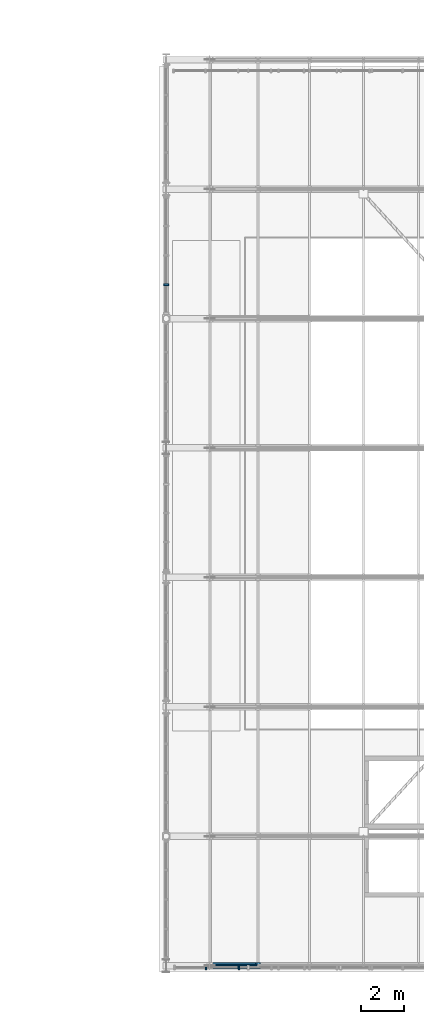
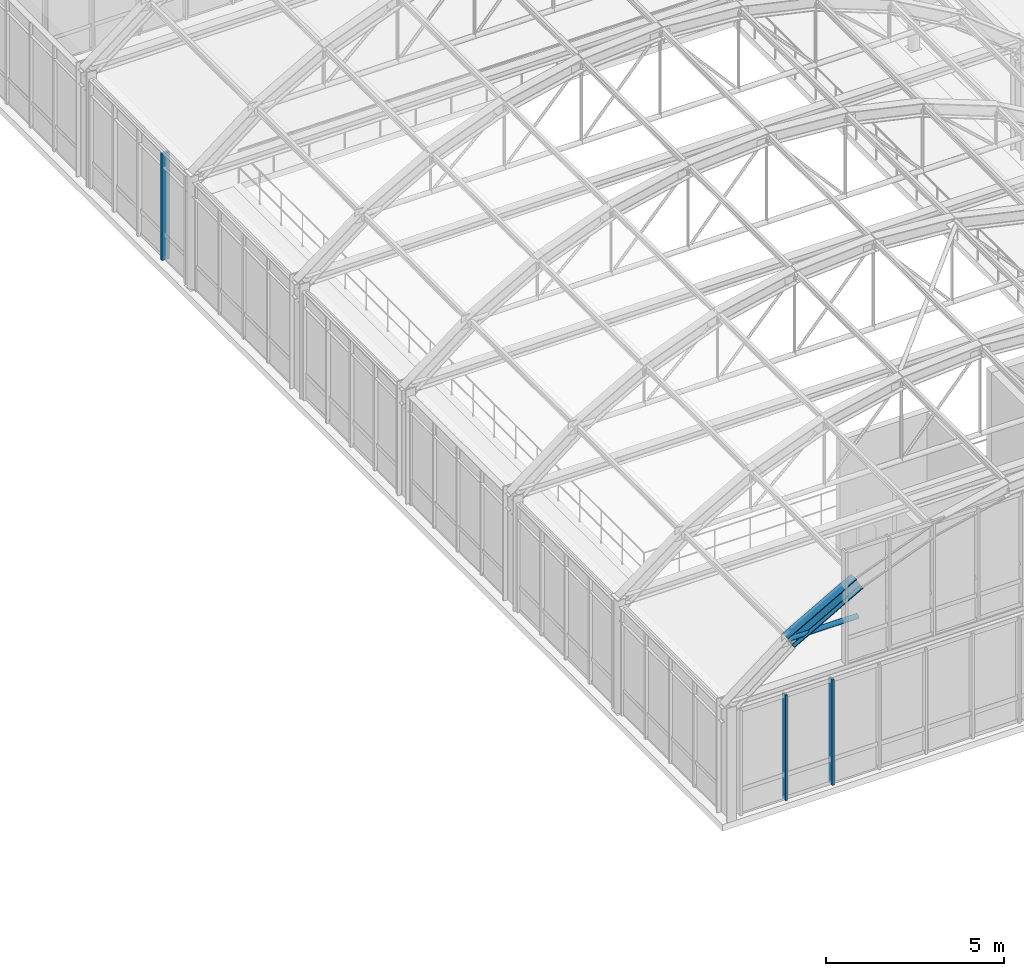
# One storey, part 29 of 148: 4 members, 1 beam, 2 elements without a shape of their own.
"""IFC4 building model written with IfcOpenShell, lengths in metres."""

import ifcopenshell
import ifcopenshell.guid

model = None  # the IFC model being written
_history = None  # IfcOwnerHistory: only IFC2X3 demands one
_inside = {}  # id of a spatial element -> (the spatial element, [elements in it])
_under = {}  # id of a project, library or spatial element -> (it, [spatial elements below it])
_declared = {}  # id of a project -> (the project, [libraries it declares])
_typed = {}  # id of a type object -> (the type object, [elements of that type])
_made_of = {}  # id of a material, layer set ... -> (it, [elements and type objects made of it])


def new_model(schema):
    """Start an empty IFC model of exactly this schema.

    Asked for "IFC4X3", IfcOpenShell would pick the latest addendum, in which some entities
    have other attributes; the version numbers below select the first issue.
    IFC2X3 requires an IfcOwnerHistory on every rooted entity: one is made here for all.
    """
    global model, _history
    if schema == "IFC4X3":
        model = ifcopenshell.file(schema_version=(4, 3, 0, 0))
    else:
        model = ifcopenshell.file(schema=schema)
    _inside.clear()
    _under.clear()
    _declared.clear()
    _typed.clear()
    _made_of.clear()
    _history = None
    if model.schema == "IFC2X3":
        org = make("IfcOrganization", Name="unknown")
        user = make(
            "IfcPersonAndOrganization",
            ThePerson=make("IfcPerson", FamilyName="unknown"),
            TheOrganization=org,
        )
        app = make(
            "IfcApplication",
            ApplicationDeveloper=org,
            Version="unknown",
            ApplicationFullName="unknown",
            ApplicationIdentifier="unknown",
        )
        _history = make(
            "IfcOwnerHistory",
            OwningUser=user,
            OwningApplication=app,
            ChangeAction="ADDED",
            CreationDate=0,
        )
    return model


def make(cls, **values):
    """One entity of the class cls with the attributes given. An attribute that is None is left unset."""
    return model.create_entity(
        cls, **{name: value for name, value in values.items() if value is not None}
    )


def rooted(cls, **values):
    """An entity with a GlobalId (a new one), such as an element, a storey or a relation."""
    return make(cls, GlobalId=ifcopenshell.guid.new(), OwnerHistory=_history, **values)


def si_unit(unit_type, name, prefix=None):
    """IfcSIUnit, for example si_unit("LENGTHUNIT", "METRE", prefix="MILLI")."""
    return make("IfcSIUnit", UnitType=unit_type, Prefix=prefix, Name=name)


def assignment(units):
    """IfcUnitAssignment: the units of a project."""
    return None if units is None else make("IfcUnitAssignment", Units=units)


def point(xyz):
    """IfcCartesianPoint."""
    return None if xyz is None else make("IfcCartesianPoint", Coordinates=xyz)


def direction(xyz):
    """IfcDirection."""
    return None if xyz is None else make("IfcDirection", DirectionRatios=xyz)


def frame(location, z_axis=None, x_axis=None):
    """IfcAxis2Placement3D, a coordinate frame: its origin and axes. An axis left out is left unset."""
    return make(
        "IfcAxis2Placement3D",
        Location=point(location),
        Axis=direction(z_axis),
        RefDirection=direction(x_axis),
    )


def frame_2d(location, x_axis=None):
    """IfcAxis2Placement2D, a coordinate frame in the plane: its origin and x axis."""
    return make(
        "IfcAxis2Placement2D", Location=point(location), RefDirection=direction(x_axis)
    )


def origin():
    """The frame at (0, 0, 0) with its axes left unset."""
    return frame((0.0, 0.0, 0.0))


def origin_2d():
    """The frame at (0, 0) in the plane with its x axis left unset."""
    return frame_2d((0.0, 0.0))


def place(relative_to, where):
    """IfcLocalPlacement: puts the frame where relative to a parent placement (None: the world)."""
    return make(
        "IfcLocalPlacement", PlacementRelTo=relative_to, RelativePlacement=where
    )


def context(
    kind, dimensions, precision=None, world=None, true_north=None, identifier=None
):
    """IfcGeometricRepresentationContext, for example the 3D "Model" context."""
    return make(
        "IfcGeometricRepresentationContext",
        ContextIdentifier=identifier,
        ContextType=kind,
        CoordinateSpaceDimension=dimensions,
        Precision=precision,
        WorldCoordinateSystem=world,
        TrueNorth=true_north,
    )


def subcontext(parent, identifier, kind, view, scale=None):
    """IfcGeometricRepresentationSubContext, for example "Body" below "Model"."""
    return make(
        "IfcGeometricRepresentationSubContext",
        ContextIdentifier=identifier,
        ContextType=kind,
        ParentContext=parent,
        TargetScale=scale,
        TargetView=view,
    )


def project(units=None, contexts=None):
    """IfcProject with its units and contexts."""
    return rooted(
        "IfcProject",
        Name="project",
        RepresentationContexts=contexts,
        UnitsInContext=assignment(units),
    )


def spatial(cls, under=None, at=None, **own):
    """A site, building, storey or space (cls), placed at a placement, below another one or the project."""
    s = rooted(cls, ObjectPlacement=at, **own)
    if under is not None:
        _under.setdefault(under.id(), (under, []))[1].append(s)
    return s


def profile(cls, at=None, kind="AREA", **sizes):
    """A parametric profile (cls). Its sizes go by their IFC names, for example OverallWidth=200.0."""
    return make(cls, ProfileType=kind, Position=at, **sizes)


def rectangle(**sizes):
    """IfcRectangleProfileDef."""
    return profile("IfcRectangleProfileDef", **sizes)


def hollow_circle(**sizes):
    """IfcCircleHollowProfileDef."""
    return profile("IfcCircleHollowProfileDef", **sizes)


def i_section(**sizes):
    """IfcIShapeProfileDef."""
    return profile("IfcIShapeProfileDef", **sizes)


def extrude(swept, where, along, depth):
    """IfcExtrudedAreaSolid: the profile swept, set in the frame where, extruded along a direction by depth."""
    return make(
        "IfcExtrudedAreaSolid",
        SweptArea=swept,
        Position=where,
        ExtrudedDirection=direction(along),
        Depth=depth,
    )


def shape(context_of_items, identifier, shape_type, items):
    """IfcShapeRepresentation: the items that make up one representation, for example the "Body"."""
    return make(
        "IfcShapeRepresentation",
        ContextOfItems=context_of_items,
        RepresentationIdentifier=identifier,
        RepresentationType=shape_type,
        Items=items,
    )


def material(Name=None, Category=None):
    """IfcMaterial."""
    return make("IfcMaterial", Name=Name, Category=Category)


def layer(
    of_material, thickness, ventilated=None, Name=None, Category=None, Priority=None
):
    """IfcMaterialLayer: one layer of a wall or slab, of a material (None: an air gap)."""
    return make(
        "IfcMaterialLayer",
        Material=of_material,
        LayerThickness=thickness,
        IsVentilated=ventilated,
        Name=Name,
        Category=Category,
        Priority=Priority,
    )


def layer_set(layers, Name=None):
    """IfcMaterialLayerSet."""
    return make("IfcMaterialLayerSet", MaterialLayers=layers, LayerSetName=Name)


def material_profile(
    of_material, cross_section, Name=None, Category=None, Priority=None
):
    """IfcMaterialProfile: a cross section and its material."""
    return make(
        "IfcMaterialProfile",
        Name=Name,
        Material=of_material,
        Profile=cross_section,
        Priority=Priority,
        Category=Category,
    )


def profile_set(profiles, Name=None, composite=None):
    """IfcMaterialProfileSet."""
    return make(
        "IfcMaterialProfileSet",
        Name=Name,
        MaterialProfiles=profiles,
        CompositeProfile=composite,
    )


def made_of(thing, what):
    """Note that an element or type object is made of a material, layer set ...; save() writes the relation."""
    if what is not None:
        _made_of.setdefault(what.id(), (what, []))[1].append(thing)
    return thing


def type_object(cls, material=None, **own):
    """A type object (cls), such as IfcWallType, which elements share."""
    return made_of(rooted(cls, **own), material)


def element(
    cls,
    number,
    at=None,
    inside=None,
    cuts=None,
    type_object=None,
    material=None,
    context=None,
    identifier="Body",
    shape_type=None,
    held_by="IfcProductDefinitionShape",
    body=None,
    shapes=None,
    **own,
):
    """One element of the class cls, such as IfcWall. Its Tag is "e" and its number.

    at: its placement. inside: the storey or other place that contains it. cuts: it is an
    opening in that element (IfcRelVoidsElement). A single representation is given by context,
    identifier, shape_type and body (its items); several are given by shapes. held_by: the class
    of the entity that holds the representations. save() writes the other relations.
    """
    e = rooted(cls, Tag="e%d" % number, ObjectPlacement=at, **own)
    if body is not None:
        shapes = [shape(context, identifier, shape_type, body)]
    if shapes is not None:
        e.Representation = make(held_by, Representations=shapes)
    if inside is not None:
        _inside.setdefault(inside.id(), (inside, []))[1].append(e)
    if cuts is not None:
        rooted(
            "IfcRelVoidsElement", RelatingBuildingElement=cuts, RelatedOpeningElement=e
        )
    if type_object is not None:
        _typed.setdefault(type_object.id(), (type_object, []))[1].append(e)
    return made_of(e, material)


def aggregate(whole, parts):
    """IfcRelAggregates: a whole, such as a stair, and the parts it consists of."""
    return rooted("IfcRelAggregates", RelatingObject=whole, RelatedObjects=parts)


def save(model, path):
    """Write the relations noted so far, then the file.

    IfcRelAggregates (storeys below a building ...), IfcRelContainedInSpatialStructure (elements
    in a storey), IfcRelDefinesByType, IfcRelAssociatesMaterial and IfcRelDeclares: one each for
    every whole, place, type object, material and project.
    """
    for whole, parts in _under.values():
        aggregate(whole, parts)
    for where, things in _inside.values():
        rooted(
            "IfcRelContainedInSpatialStructure",
            RelatedElements=things,
            RelatingStructure=where,
        )
    for kind, things in _typed.values():
        rooted("IfcRelDefinesByType", RelatedObjects=things, RelatingType=kind)
    for what, things in _made_of.values():
        rooted("IfcRelAssociatesMaterial", RelatedObjects=things, RelatingMaterial=what)
    for by, libraries in _declared.values():
        rooted("IfcRelDeclares", RelatingContext=by, RelatedDefinitions=libraries)
    model.write(path)


model = new_model("IFC4")

# Units and contexts
model_context = context("Model", 3, precision=1e-05, world=origin(), true_north=direction((0.0, 1.0)))
body_context = subcontext(model_context, "Body", "Model", "MODEL_VIEW")
ifc_project = project(units=[si_unit("LENGTHUNIT", "METRE"), si_unit("AREAUNIT", "SQUARE_METRE"), si_unit("VOLUMEUNIT", "CUBIC_METRE"), si_unit("PLANEANGLEUNIT", "RADIAN"), si_unit("MASSUNIT", "GRAM", prefix="KILO"), si_unit("THERMODYNAMICTEMPERATUREUNIT", "KELVIN"), si_unit("POWERUNIT", "WATT")], contexts=[model_context])

# Site, building, storey
site_placement = place(None, origin())
site = spatial("IfcSite", under=ifc_project, at=site_placement, CompositionType="ELEMENT")
building_placement = place(site_placement, origin())
building = spatial("IfcBuilding", under=site, at=building_placement, Name="Solvatero Civic Police Headquarters", CompositionType="ELEMENT")
storey_placement = place(building_placement, frame((0.0, 0.0, 5.10009765625)))
storey = spatial("IfcBuildingStorey", under=building, at=storey_placement, Name="L01", CompositionType="ELEMENT", Elevation=5.10009765625)

# Beam
ifc_material_1 = material(Name="Steel S355", Category="steel")
ifc_material_profile_1 = material_profile(ifc_material_1, i_section(OverallWidth=0.300048828125, OverallDepth=0.449951171875, WebThickness=0.013916015625, FlangeThickness=0.02587890625, FilletRadius=0.027099609375, at=origin_2d()), Name="HEB 450")
ifc_profile_set_1 = profile_set([ifc_material_profile_1], Name="Steel S355")
beam_type = type_object("IfcBeamType", Name="BM-ST-HEB450", PredefinedType="BEAM", material=ifc_profile_set_1)
beam_placement = place(storey_placement, frame((100.822509765625, 4.800048828125, 5.330322265625), z_axis=(0.870765086908, 0.0, 0.491699261156), x_axis=(0.0, 1.0, 0.0)))
element("IfcBeam", 1, at=beam_placement, inside=storey, type_object=beam_type, Name="VLT1 Tied-Arch Vault Top Chord F1.2", PredefinedType="BEAM", context=body_context, shape_type="SweptSolid", body=[
    extrude(i_section(OverallWidth=0.300048828125, OverallDepth=0.449951171875, WebThickness=0.013916015625, FlangeThickness=0.02587890625, FilletRadius=0.027099609375, at=origin_2d()), origin(), (0.0, 0.0, 1.0), 2.56201171875),
])

# Curtain wall, member
ifc_material_2 = material(Name="Anodized Bronze Aluminium", Category="aluminium")
ifc_layer = layer(ifc_material_2, 0.179931640625)
ifc_layer_set = layer_set([ifc_layer], Name="Anodized Bronze Aluminium")
curtain_wall_type = type_object("IfcCurtainWallType", Name="CW-HAL-GLZ", PredefinedType="USERDEFINED", material=ifc_layer_set)
curtain_wall_1_placement = place(storey_placement, origin())
curtain_wall_1 = element("IfcCurtainWall", 2, at=curtain_wall_1_placement, inside=storey, type_object=curtain_wall_type, Name="Curtain Wall CW-R2-L01-V1-W-B6", ObjectType="UNITISED", PredefinedType="USERDEFINED")
ifc_material_profile_2 = material_profile(ifc_material_2, rectangle(XDim=0.080078125, YDim=0.239990234375, at=origin_2d()), Name="ALU MULLION 80x240")
ifc_profile_set_2 = profile_set([ifc_material_profile_2], Name="Anodized Bronze Aluminium")
member_type_1 = type_object("IfcMemberType", Name="CWM-140x60", PredefinedType="MULLION", material=ifc_profile_set_2)
member_1_placement = place(storey_placement, frame((98.800048828125, 36.364013671875, 0.0), z_axis=(0.0, 0.0, 1.0), x_axis=(0.0, 1.0, 0.0)))
member_1 = element("IfcMember", 3, at=member_1_placement, type_object=member_type_1, Name="CW-R2-L01-V1-W-B6 Mullion 2", PredefinedType="MULLION", context=body_context, shape_type="SweptSolid", body=[
    extrude(rectangle(XDim=0.080078125, YDim=0.239990234375, at=origin_2d()), origin(), (0.0, 0.0, 1.0), 3.659912109375),
])
aggregate(curtain_wall_1, [member_1])

# Curtain wall, members
curtain_wall_2_placement = place(storey_placement, origin())
curtain_wall_2 = element("IfcCurtainWall", 4, at=curtain_wall_2_placement, inside=storey, type_object=curtain_wall_type, Name="Curtain Wall CW-R2-L01-V1-S", ObjectType="UNITISED", PredefinedType="USERDEFINED")
ifc_material_profile_3 = material_profile(ifc_material_2, rectangle(XDim=0.070068359375, YDim=0.199951171875, at=origin_2d()), Name="ALU MULLION 70x200")
ifc_profile_set_3 = profile_set([ifc_material_profile_3], Name="Anodized Bronze Aluminium")
member_type_2 = type_object("IfcMemberType", Name="CWM-220x80", PredefinedType="MULLION", material=ifc_profile_set_3)
member_2_placement = place(storey_placement, frame((100.65478515625, 4.719970703125, 0.0), z_axis=(0.0, 0.0, 1.0), x_axis=(1.0, 0.0, 0.0)))
member_2 = element("IfcMember", 5, at=member_2_placement, type_object=member_type_2, Name="CW-R2-L01-V1-S Mullion 2", PredefinedType="MULLION", context=body_context, shape_type="SweptSolid", body=[
    extrude(rectangle(XDim=0.070068359375, YDim=0.199951171875, at=origin_2d()), origin(), (0.0, 0.0, 1.0), 3.619873046875),
])
member_3_placement = place(storey_placement, frame((102.169189453125, 4.719970703125, 0.0), z_axis=(0.0, 0.0, 1.0), x_axis=(1.0, 0.0, 0.0)))
member_3 = element("IfcMember", 6, at=member_3_placement, type_object=member_type_2, Name="CW-R2-L01-V1-S Mullion 3", PredefinedType="MULLION", context=body_context, shape_type="SweptSolid", body=[
    extrude(rectangle(XDim=0.070068359375, YDim=0.199951171875, at=origin_2d()), origin(), (0.0, 0.0, 1.0), 3.619873046875),
])
aggregate(curtain_wall_2, [member_2, member_3])

# Member
ifc_material_profile_4 = material_profile(ifc_material_1, hollow_circle(Radius=0.084228515625, WallThickness=0.010009765625, at=origin_2d()), Name="CHS 168.3x10.0")
ifc_profile_set_4 = profile_set([ifc_material_profile_4], Name="Steel S355")
member_type_3 = type_object("IfcMemberType", Name="MB-TIE-CHS168", PredefinedType="CHORD", material=ifc_profile_set_4)
member_4_placement = place(storey_placement, frame((100.822509765625, 4.800048828125, 5.3916015625), z_axis=(1.0, 0.0, 0.0), x_axis=(0.0, 1.0, 0.0)))
element("IfcMember", 7, at=member_4_placement, inside=storey, type_object=member_type_3, Name="VLT1 Vault Horizontal Tie Chord F1.1", PredefinedType="CHORD", context=body_context, shape_type="SweptSolid", body=[
    extrude(hollow_circle(Radius=0.084228515625, WallThickness=0.010009765625, at=origin_2d()), origin(), (0.0, 0.0, 1.0), 2.23095703125),
])

save(model, "model.ifc")
